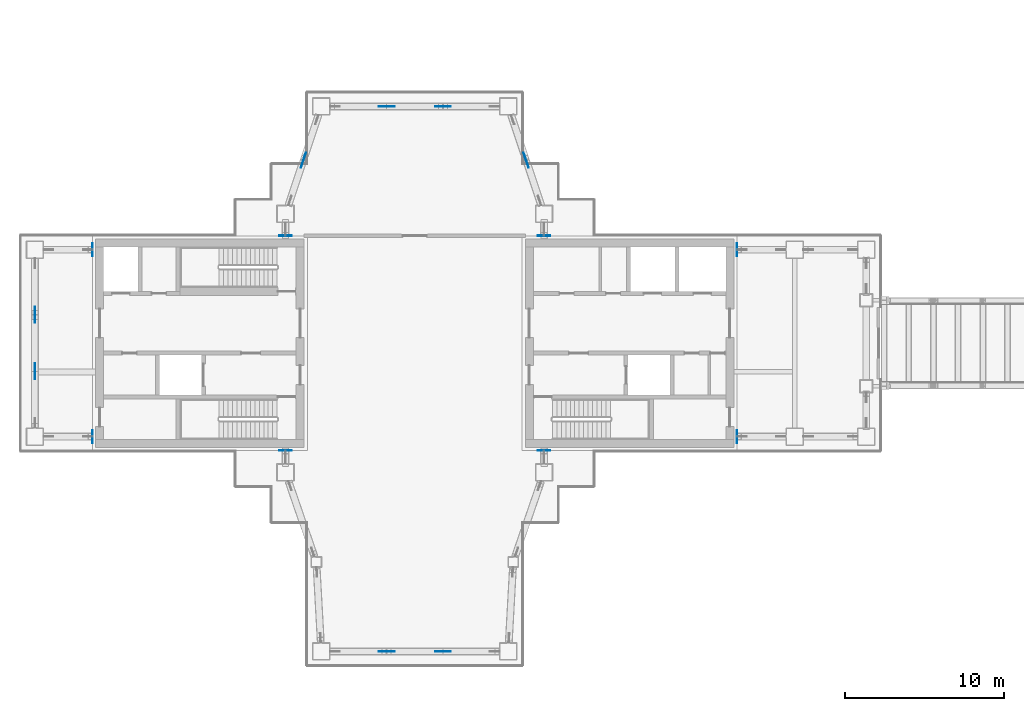
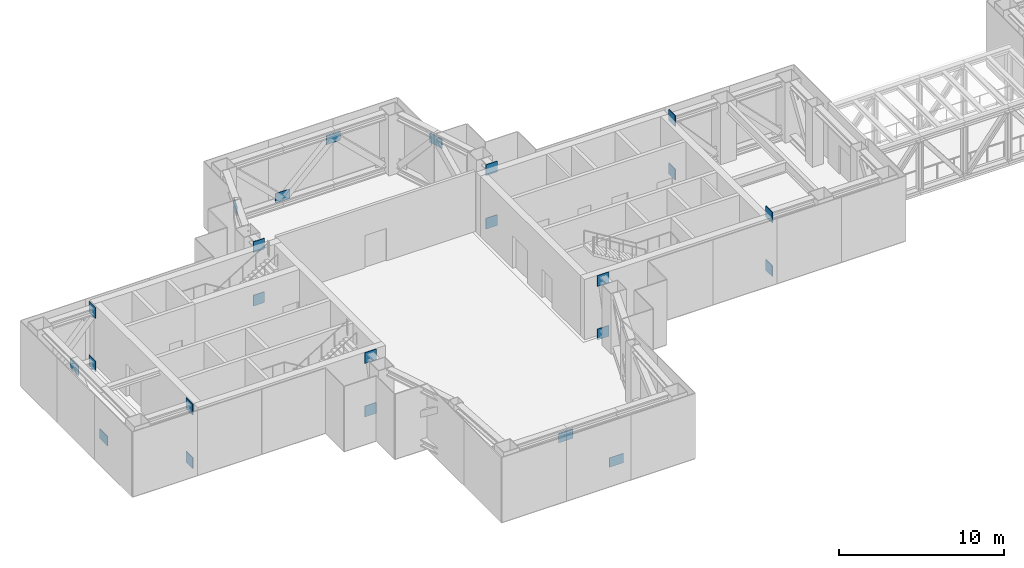
# One storey, part 14 of 21: 24 discrete accessories.
"""IFC4 building model written with IfcOpenShell, lengths in metres."""

from ifc_helpers import new_model, si_unit, direction, frame, origin, origin_2d, place, context, subcontext, project, spatial, rectangle, extrude, material, layer, layer_set, type_object, element, save


model = new_model("IFC4")

# Units and contexts
model_context = context("Model", 3, precision=1e-05, world=origin(), true_north=direction((0.0, 1.0)))
body_context = subcontext(model_context, "Body", "Model", "MODEL_VIEW")
ifc_project = project(units=[si_unit("LENGTHUNIT", "METRE"), si_unit("AREAUNIT", "SQUARE_METRE"), si_unit("VOLUMEUNIT", "CUBIC_METRE"), si_unit("PLANEANGLEUNIT", "RADIAN"), si_unit("MASSUNIT", "GRAM", prefix="KILO")], contexts=[model_context])

# Site, building, storey
site_placement = place(None, origin())
site = spatial("IfcSite", under=ifc_project, at=site_placement, CompositionType="ELEMENT")
building_placement = place(site_placement, origin())
building = spatial("IfcBuilding", under=site, at=building_placement, Name="Shamsa Quay Exchange Towers", CompositionType="ELEMENT")
storey_placement = place(building_placement, frame((0.0, 0.0, 177.89990234375)))
storey = spatial("IfcBuildingStorey", under=building, at=storey_placement, Name="L42", CompositionType="ELEMENT", Elevation=177.89990234375)

# Discrete accessories
ifc_material = material(Name="Steel S355", Category="steel")
ifc_layer_1 = layer(ifc_material, 0.050048828125)
ifc_layer_set_1 = layer_set([ifc_layer_1], Name="Cast-in plate 50x800x798")
discrete_accessory_type_1 = type_object("IfcDiscreteAccessoryType", Name="Cast-in plate 50x800x798", PredefinedType="ANCHORPLATE", material=ifc_layer_set_1)
for number, where, name in (
    (1, (-54.0, -5.875, 3.80224609375), "Cast-in plate T1 L42"),
    (2, (-54.0, -5.875, -0.14990234375), "Cast-in plate T1 L42"),
):
    element("IfcDiscreteAccessory", number, at=place(storey_placement, frame(where)), inside=storey, type_object=discrete_accessory_type_1, Name=name, PredefinedType="ANCHORPLATE", context=body_context, shape_type="SweptSolid", body=[
        extrude(rectangle(XDim=0.050048828125, YDim=0.800048828125, at=origin_2d()), origin(), (0.0, 0.0, 1.0), 0.7978515625),
    ])
for number, where, z_axis, x_axis, name in (
    (3, (-41.875, -6.75, 3.80224609375), (0.0, 0.0, 1.0), (0.0, 1.0, 0.0), "Cast-in plate T1 L42"),
    (4, (-41.875, -6.75, -0.14990234375), (0.0, 0.0, 1.0), (0.0, 1.0, 0.0), "Cast-in plate T1 L42"),
    (5, (-25.625, -6.75, 3.80224609375), (0.0, 0.0, 1.0), (0.0, 1.0, 0.0), "Cast-in plate T1 L42"),
    (6, (-25.625, -6.75, -0.14990234375), (0.0, 0.0, 1.0), (0.0, 1.0, 0.0), "Cast-in plate T1 L42"),
    (7, (-13.5, -5.875, 3.80224609375), (0.0, 0.0, 1.0), (-1.0, 0.0, 0.0), "Cast-in plate T1 L42"),
    (8, (-13.5, -5.875, -0.14990234375), (0.0, 0.0, 1.0), (-1.0, 0.0, 0.0), "Cast-in plate T1 L42"),
    (9, (-13.5, 5.875, 3.80224609375), (0.0, 0.0, 1.0), (-1.0, 0.0, 0.0), "Cast-in plate T1 L42"),
    (10, (-13.5, 5.875, -0.14990234375), (0.0, 0.0, 1.0), (-1.0, 0.0, 0.0), "Cast-in plate T1 L42"),
    (11, (-25.625, 6.75, 3.80224609375), (0.0, 0.0, 1.0), (0.0, -1.0, 0.0), "Cast-in plate T1 L42"),
    (12, (-25.625, 6.75, -0.14990234375), (0.0, 0.0, 1.0), (0.0, -1.0, 0.0), "Cast-in plate T1 L42"),
    (13, (-41.875, 6.75, 3.80224609375), (0.0, 0.0, 1.0), (0.0, -1.0, 0.0), "Cast-in plate T1 L42"),
    (14, (-41.875, 6.75, -0.14990234375), (0.0, 0.0, 1.0), (0.0, -1.0, 0.0), "Cast-in plate T1 L42"),
):
    element("IfcDiscreteAccessory", number, at=place(storey_placement, frame(where, z_axis=z_axis, x_axis=x_axis)), inside=storey, type_object=discrete_accessory_type_1, Name=name, PredefinedType="ANCHORPLATE", context=body_context, shape_type="SweptSolid", body=[
        extrude(rectangle(XDim=0.050048828125, YDim=0.800048828125, at=origin_2d()), origin(), (0.0, 0.0, 1.0), 0.7978515625),
    ])
for number, where, name in (
    (15, (-54.0, 5.875, 3.80224609375), "Cast-in plate T1 L42"),
    (16, (-54.0, 5.875, -0.14990234375), "Cast-in plate T1 L42"),
):
    element("IfcDiscreteAccessory", number, at=place(storey_placement, frame(where)), inside=storey, type_object=discrete_accessory_type_1, Name=name, PredefinedType="ANCHORPLATE", context=body_context, shape_type="SweptSolid", body=[
        extrude(rectangle(XDim=0.050048828125, YDim=0.800048828125, at=origin_2d()), origin(), (0.0, 0.0, 1.0), 0.7978515625),
    ])
ifc_layer_2 = layer(ifc_material, 0.0400390625)
ifc_layer_set_2 = layer_set([ifc_layer_2], Name="Gusset plate 1000x700x40")
discrete_accessory_type_2 = type_object("IfcDiscreteAccessoryType", Name="Gusset plate 1000x700x40", PredefinedType="BRACKET", material=ifc_layer_set_2)
for number, where, name in (
    (17, (-35.52490234375, -19.375, 3.40234375), "Gusset plate T1 L42"),
    (18, (-31.97509765625, -19.375, 0.34814453125), "Gusset plate T1 L42"),
):
    element("IfcDiscreteAccessory", number, at=place(storey_placement, frame(where)), inside=storey, type_object=discrete_accessory_type_2, Name=name, PredefinedType="BRACKET", context=body_context, shape_type="SweptSolid", body=[
        extrude(rectangle(XDim=1.0, YDim=0.0400390625, at=origin_2d()), origin(), (0.0, 0.0, 1.0), 0.699951171875),
    ])
for number, where, z_axis, x_axis, name in (
    (19, (-26.75, 11.5, 3.40234375), (0.0, 0.0, 1.0), (-0.316227766018, 0.94868329805, 0.0), "Gusset plate T1 L42"),
    (20, (-31.97509765625, 14.875, 3.40234375), (0.0, 0.0, 1.0), (-1.0, 0.0, 0.0), "Gusset plate T1 L42"),
    (21, (-35.52490234375, 14.875, 0.34814453125), (0.0, 0.0, 1.0), (-1.0, 0.0, 0.0), "Gusset plate T1 L42"),
    (22, (-40.75, 11.5, 3.40234375), (0.0, 0.0, 1.0), (-0.316227766018, -0.94868329805, 0.0), "Gusset plate T1 L42"),
    (23, (-57.625, 1.77490234375, 3.40234375), (0.0, 0.0, 1.0), (0.0, -1.0, 0.0), "Gusset plate T1 L42"),
    (24, (-57.625, -1.77490234375, 0.34814453125), (0.0, 0.0, 1.0), (0.0, -1.0, 0.0), "Gusset plate T1 L42"),
):
    element("IfcDiscreteAccessory", number, at=place(storey_placement, frame(where, z_axis=z_axis, x_axis=x_axis)), inside=storey, type_object=discrete_accessory_type_2, Name=name, PredefinedType="BRACKET", context=body_context, shape_type="SweptSolid", body=[
        extrude(rectangle(XDim=1.0, YDim=0.0400390625, at=origin_2d()), origin(), (0.0, 0.0, 1.0), 0.699951171875),
    ])

save(model, "model.ifc")
